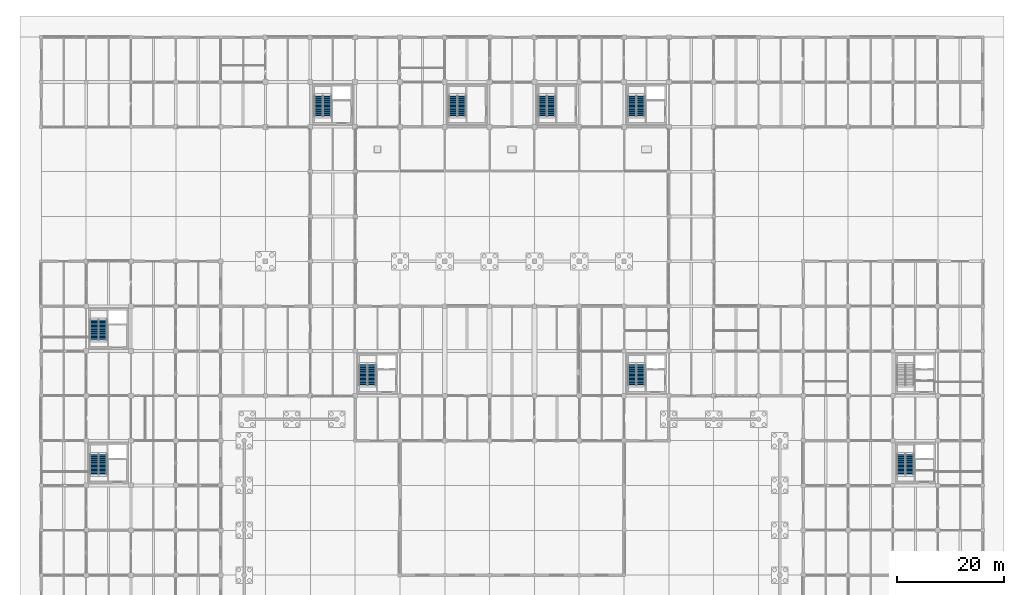
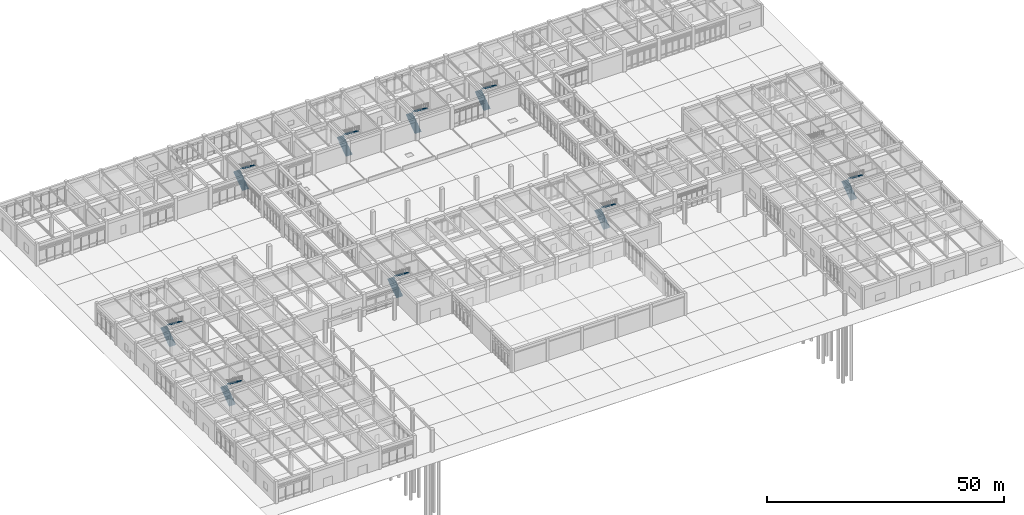
# One storey, part 83 of 91: 18 stair flights, 9 elements without a shape of their own.
"""IFC4 building model written with IfcOpenShell, lengths in metres."""

from ifc_helpers import new_model, si_unit, direction, frame, origin, place, context, subcontext, project, spatial, polyline, outline, extrude, material, layer, layer_set, type_object, element, aggregate, save


model = new_model("IFC4")

# Units and contexts
model_context = context("Model", 3, precision=1e-05, world=origin(), true_north=direction((0.0, 1.0)))
body_context = subcontext(model_context, "Body", "Model", "MODEL_VIEW")
ifc_project = project(units=[si_unit("LENGTHUNIT", "METRE"), si_unit("AREAUNIT", "SQUARE_METRE"), si_unit("VOLUMEUNIT", "CUBIC_METRE"), si_unit("PLANEANGLEUNIT", "RADIAN"), si_unit("MASSUNIT", "GRAM", prefix="KILO")], contexts=[model_context])

# Site, building, storey
site_placement = place(None, origin())
site = spatial("IfcSite", under=ifc_project, at=site_placement, CompositionType="ELEMENT")
building_placement = place(site_placement, origin())
building = spatial("IfcBuilding", under=site, at=building_placement, Name="Porcellanite Civic Hall", CompositionType="ELEMENT")
storey_placement = place(building_placement, origin())
storey = spatial("IfcBuildingStorey", under=building, at=storey_placement, Name="L00", CompositionType="ELEMENT", Elevation=0.0)

# Stair, stair flights
ifc_material_1 = material(Name="Concrete N40 (40 MPa)", Category="concrete")
stair_type = type_object("IfcStairType", Name="STR-HT32", PredefinedType="HALF_TURN_STAIR", material=ifc_material_1)
stair_1_placement = place(storey_placement, origin())
stair_1 = element("IfcStair", 1, at=stair_1_placement, inside=storey, type_object=stair_type, Name="Fire stair ST-01 L00", PredefinedType="HALF_TURN_STAIR")
ifc_material_2 = material(Name="Concrete N40 (40 MPa)", Category="concrete")
ifc_layer = layer(ifc_material_2, 0.179931640625)
ifc_layer_set = layer_set([ifc_layer], Name="Concrete N40 (40 MPa)")
stair_flight_type = type_object("IfcStairFlightType", Name="FLT-154A", PredefinedType="STRAIGHT", material=ifc_layer_set)
stair_flight_1_placement = place(storey_placement, frame((9.9599609375, 35.60009765625, 0.0), z_axis=(0.0, 0.0, 1.0), x_axis=(0.0, 1.0, 0.0)))
stair_flight_1 = element("IfcStairFlight", 2, at=stair_flight_1_placement, type_object=stair_flight_type, Name="ST-01 flight 1", NumberOfRisers=16, NumberOfTreads=15, PredefinedType="STRAIGHT", RiserHeight=0.18, TreadLength=0.255, context=body_context, shape_type="SweptSolid", body=[
    extrude(outline(polyline([(0.0, 0.0), (0.0, 0.179931640625), (0.2548828125, 0.179931640625), (0.2548828125, 0.360107421875), (0.510009765625, 0.360107421875), (0.510009765625, 0.5400390625), (0.764892578125, 0.5400390625), (0.764892578125, 0.719970703125), (1.02001953125, 0.719970703125), (1.02001953125, 0.89990234375), (1.27490234375, 0.89990234375), (1.27490234375, 1.080078125), (1.530029296875, 1.080078125), (1.530029296875, 1.260009765625), (1.784912109375, 1.260009765625), (1.784912109375, 1.43994140625), (2.0400390625, 1.43994140625), (2.0400390625, 1.6201171875), (2.294921875, 1.6201171875), (2.294921875, 1.800048828125), (2.550048828125, 1.800048828125), (2.550048828125, 1.97998046875), (2.804931640625, 1.97998046875), (2.804931640625, 2.159912109375), (3.06005859375, 2.159912109375), (3.06005859375, 2.340087890625), (3.31494140625, 2.340087890625), (3.31494140625, 2.52001953125), (3.570068359375, 2.52001953125), (3.570068359375, 2.699951171875), (3.824951171875, 2.699951171875), (3.824951171875, 2.8798828125), (3.824951171875, 2.479736328125), (0.31201171875, 0.0), (0.0, 0.0)])), frame((0.0, 0.77001953125, 0.0), z_axis=(0.0, -1.0, 0.0), x_axis=(1.0, 0.0, 0.0)), (0.0, 0.0, 1.0), 1.5400390625),
])
stair_flight_2_placement = place(storey_placement, frame((11.5400390625, 39.425048828125, 2.8798828125), z_axis=(0.0, 0.0, 1.0), x_axis=(0.0, -1.0, 0.0)))
stair_flight_2 = element("IfcStairFlight", 3, at=stair_flight_2_placement, type_object=stair_flight_type, Name="ST-01 flight 2", NumberOfRisers=16, NumberOfTreads=15, PredefinedType="STRAIGHT", RiserHeight=0.18, TreadLength=0.255, context=body_context, shape_type="SweptSolid", body=[
    extrude(outline(polyline([(0.0, 0.0), (0.0, 0.179931640625), (0.2548828125, 0.179931640625), (0.2548828125, 0.360107421875), (0.510009765625, 0.360107421875), (0.510009765625, 0.5400390625), (0.764892578125, 0.5400390625), (0.764892578125, 0.719970703125), (1.02001953125, 0.719970703125), (1.02001953125, 0.89990234375), (1.27490234375, 0.89990234375), (1.27490234375, 1.080078125), (1.530029296875, 1.080078125), (1.530029296875, 1.260009765625), (1.784912109375, 1.260009765625), (1.784912109375, 1.43994140625), (2.0400390625, 1.43994140625), (2.0400390625, 1.6201171875), (2.294921875, 1.6201171875), (2.294921875, 1.800048828125), (2.550048828125, 1.800048828125), (2.550048828125, 1.97998046875), (2.804931640625, 1.97998046875), (2.804931640625, 2.159912109375), (3.06005859375, 2.159912109375), (3.06005859375, 2.340087890625), (3.31494140625, 2.340087890625), (3.31494140625, 2.52001953125), (3.570068359375, 2.52001953125), (3.570068359375, 2.699951171875), (3.824951171875, 2.699951171875), (3.824951171875, 2.8798828125), (3.824951171875, 2.479736328125), (0.31201171875, 0.0), (0.0, 0.0)])), frame((0.0, 0.77001953125, 0.0), z_axis=(0.0, -1.0, 0.0), x_axis=(1.0, 0.0, 0.0)), (0.0, 0.0, 1.0), 1.5400390625),
])
aggregate(stair_1, [stair_flight_1, stair_flight_2])

stair_2_placement = place(storey_placement, origin())
stair_2 = element("IfcStair", 4, at=stair_2_placement, inside=storey, type_object=stair_type, Name="Fire stair ST-02 L00", PredefinedType="HALF_TURN_STAIR")
stair_flight_3_placement = place(storey_placement, frame((9.9599609375, 60.800048828125, 0.0), z_axis=(0.0, 0.0, 1.0), x_axis=(0.0, 1.0, 0.0)))
stair_flight_3 = element("IfcStairFlight", 5, at=stair_flight_3_placement, type_object=stair_flight_type, Name="ST-02 flight 1", NumberOfRisers=16, NumberOfTreads=15, PredefinedType="STRAIGHT", RiserHeight=0.18, TreadLength=0.255, context=body_context, shape_type="SweptSolid", body=[
    extrude(outline(polyline([(0.0, 0.0), (0.0, 0.179931640625), (0.2548828125, 0.179931640625), (0.2548828125, 0.360107421875), (0.510009765625, 0.360107421875), (0.510009765625, 0.5400390625), (0.764892578125, 0.5400390625), (0.764892578125, 0.719970703125), (1.02001953125, 0.719970703125), (1.02001953125, 0.89990234375), (1.27490234375, 0.89990234375), (1.27490234375, 1.080078125), (1.530029296875, 1.080078125), (1.530029296875, 1.260009765625), (1.784912109375, 1.260009765625), (1.784912109375, 1.43994140625), (2.0400390625, 1.43994140625), (2.0400390625, 1.6201171875), (2.294921875, 1.6201171875), (2.294921875, 1.800048828125), (2.550048828125, 1.800048828125), (2.550048828125, 1.97998046875), (2.804931640625, 1.97998046875), (2.804931640625, 2.159912109375), (3.06005859375, 2.159912109375), (3.06005859375, 2.340087890625), (3.31494140625, 2.340087890625), (3.31494140625, 2.52001953125), (3.570068359375, 2.52001953125), (3.570068359375, 2.699951171875), (3.824951171875, 2.699951171875), (3.824951171875, 2.8798828125), (3.824951171875, 2.479736328125), (0.31201171875, 0.0), (0.0, 0.0)])), frame((0.0, 0.77001953125, 0.0), z_axis=(0.0, -1.0, 0.0), x_axis=(1.0, 0.0, 0.0)), (0.0, 0.0, 1.0), 1.5400390625),
])
stair_flight_4_placement = place(storey_placement, frame((11.5400390625, 64.625, 2.8798828125), z_axis=(0.0, 0.0, 1.0), x_axis=(0.0, -1.0, 0.0)))
stair_flight_4 = element("IfcStairFlight", 6, at=stair_flight_4_placement, type_object=stair_flight_type, Name="ST-02 flight 2", NumberOfRisers=16, NumberOfTreads=15, PredefinedType="STRAIGHT", RiserHeight=0.18, TreadLength=0.255, context=body_context, shape_type="SweptSolid", body=[
    extrude(outline(polyline([(0.0, 0.0), (0.0, 0.179931640625), (0.2548828125, 0.179931640625), (0.2548828125, 0.360107421875), (0.510009765625, 0.360107421875), (0.510009765625, 0.5400390625), (0.764892578125, 0.5400390625), (0.764892578125, 0.719970703125), (1.02001953125, 0.719970703125), (1.02001953125, 0.89990234375), (1.27490234375, 0.89990234375), (1.27490234375, 1.080078125), (1.530029296875, 1.080078125), (1.530029296875, 1.260009765625), (1.784912109375, 1.260009765625), (1.784912109375, 1.43994140625), (2.0400390625, 1.43994140625), (2.0400390625, 1.6201171875), (2.294921875, 1.6201171875), (2.294921875, 1.800048828125), (2.550048828125, 1.800048828125), (2.550048828125, 1.97998046875), (2.804931640625, 1.97998046875), (2.804931640625, 2.159912109375), (3.06005859375, 2.159912109375), (3.06005859375, 2.340087890625), (3.31494140625, 2.340087890625), (3.31494140625, 2.52001953125), (3.570068359375, 2.52001953125), (3.570068359375, 2.699951171875), (3.824951171875, 2.699951171875), (3.824951171875, 2.8798828125), (3.824951171875, 2.479736328125), (0.31201171875, 0.0), (0.0, 0.0)])), frame((0.0, 0.77001953125, 0.0), z_axis=(0.0, -1.0, 0.0), x_axis=(1.0, 0.0, 0.0)), (0.0, 0.0, 1.0), 1.5400390625),
])
aggregate(stair_2, [stair_flight_3, stair_flight_4])

stair_3_placement = place(storey_placement, origin())
stair_3 = element("IfcStair", 7, at=stair_3_placement, inside=storey, type_object=stair_type, Name="Fire stair ST-03 L00", PredefinedType="HALF_TURN_STAIR")
stair_flight_5_placement = place(storey_placement, frame((51.9599609375, 102.800048828125, 0.0), z_axis=(0.0, 0.0, 1.0), x_axis=(0.0, 1.0, 0.0)))
stair_flight_5 = element("IfcStairFlight", 8, at=stair_flight_5_placement, type_object=stair_flight_type, Name="ST-03 flight 1", NumberOfRisers=16, NumberOfTreads=15, PredefinedType="STRAIGHT", RiserHeight=0.18, TreadLength=0.255, context=body_context, shape_type="SweptSolid", body=[
    extrude(outline(polyline([(0.0, 0.0), (0.0, 0.179931640625), (0.2548828125, 0.179931640625), (0.2548828125, 0.360107421875), (0.510009765625, 0.360107421875), (0.510009765625, 0.5400390625), (0.764892578125, 0.5400390625), (0.764892578125, 0.719970703125), (1.02001953125, 0.719970703125), (1.02001953125, 0.89990234375), (1.27490234375, 0.89990234375), (1.27490234375, 1.080078125), (1.530029296875, 1.080078125), (1.530029296875, 1.260009765625), (1.784912109375, 1.260009765625), (1.784912109375, 1.43994140625), (2.0400390625, 1.43994140625), (2.0400390625, 1.6201171875), (2.294921875, 1.6201171875), (2.294921875, 1.800048828125), (2.550048828125, 1.800048828125), (2.550048828125, 1.97998046875), (2.804931640625, 1.97998046875), (2.804931640625, 2.159912109375), (3.06005859375, 2.159912109375), (3.06005859375, 2.340087890625), (3.31494140625, 2.340087890625), (3.31494140625, 2.52001953125), (3.570068359375, 2.52001953125), (3.570068359375, 2.699951171875), (3.824951171875, 2.699951171875), (3.824951171875, 2.8798828125), (3.824951171875, 2.479736328125), (0.31201171875, 0.0), (0.0, 0.0)])), frame((0.0, 0.77001953125, 0.0), z_axis=(0.0, -1.0, 0.0), x_axis=(1.0, 0.0, 0.0)), (0.0, 0.0, 1.0), 1.5400390625),
])
stair_flight_6_placement = place(storey_placement, frame((53.5400390625, 106.625, 2.8798828125), z_axis=(0.0, 0.0, 1.0), x_axis=(0.0, -1.0, 0.0)))
stair_flight_6 = element("IfcStairFlight", 9, at=stair_flight_6_placement, type_object=stair_flight_type, Name="ST-03 flight 2", NumberOfRisers=16, NumberOfTreads=15, PredefinedType="STRAIGHT", RiserHeight=0.18, TreadLength=0.255, context=body_context, shape_type="SweptSolid", body=[
    extrude(outline(polyline([(0.0, 0.0), (0.0, 0.179931640625), (0.2548828125, 0.179931640625), (0.2548828125, 0.360107421875), (0.510009765625, 0.360107421875), (0.510009765625, 0.5400390625), (0.764892578125, 0.5400390625), (0.764892578125, 0.719970703125), (1.02001953125, 0.719970703125), (1.02001953125, 0.89990234375), (1.27490234375, 0.89990234375), (1.27490234375, 1.080078125), (1.530029296875, 1.080078125), (1.530029296875, 1.260009765625), (1.784912109375, 1.260009765625), (1.784912109375, 1.43994140625), (2.0400390625, 1.43994140625), (2.0400390625, 1.6201171875), (2.294921875, 1.6201171875), (2.294921875, 1.800048828125), (2.550048828125, 1.800048828125), (2.550048828125, 1.97998046875), (2.804931640625, 1.97998046875), (2.804931640625, 2.159912109375), (3.06005859375, 2.159912109375), (3.06005859375, 2.340087890625), (3.31494140625, 2.340087890625), (3.31494140625, 2.52001953125), (3.570068359375, 2.52001953125), (3.570068359375, 2.699951171875), (3.824951171875, 2.699951171875), (3.824951171875, 2.8798828125), (3.824951171875, 2.479736328125), (0.31201171875, 0.0), (0.0, 0.0)])), frame((0.0, 0.77001953125, 0.0), z_axis=(0.0, -1.0, 0.0), x_axis=(1.0, 0.0, 0.0)), (0.0, 0.0, 1.0), 1.5400390625),
])
aggregate(stair_3, [stair_flight_5, stair_flight_6])

stair_4_placement = place(storey_placement, origin())
stair_4 = element("IfcStair", 10, at=stair_4_placement, inside=storey, type_object=stair_type, Name="Fire stair ST-04 L00", PredefinedType="HALF_TURN_STAIR")
stair_flight_7_placement = place(storey_placement, frame((110.760009765625, 102.800048828125, 0.0), z_axis=(0.0, 0.0, 1.0), x_axis=(0.0, 1.0, 0.0)))
stair_flight_7 = element("IfcStairFlight", 11, at=stair_flight_7_placement, type_object=stair_flight_type, Name="ST-04 flight 1", NumberOfRisers=16, NumberOfTreads=15, PredefinedType="STRAIGHT", RiserHeight=0.18, TreadLength=0.255, context=body_context, shape_type="SweptSolid", body=[
    extrude(outline(polyline([(0.0, 0.0), (0.0, 0.179931640625), (0.2548828125, 0.179931640625), (0.2548828125, 0.360107421875), (0.510009765625, 0.360107421875), (0.510009765625, 0.5400390625), (0.764892578125, 0.5400390625), (0.764892578125, 0.719970703125), (1.02001953125, 0.719970703125), (1.02001953125, 0.89990234375), (1.27490234375, 0.89990234375), (1.27490234375, 1.080078125), (1.530029296875, 1.080078125), (1.530029296875, 1.260009765625), (1.784912109375, 1.260009765625), (1.784912109375, 1.43994140625), (2.0400390625, 1.43994140625), (2.0400390625, 1.6201171875), (2.294921875, 1.6201171875), (2.294921875, 1.800048828125), (2.550048828125, 1.800048828125), (2.550048828125, 1.97998046875), (2.804931640625, 1.97998046875), (2.804931640625, 2.159912109375), (3.06005859375, 2.159912109375), (3.06005859375, 2.340087890625), (3.31494140625, 2.340087890625), (3.31494140625, 2.52001953125), (3.570068359375, 2.52001953125), (3.570068359375, 2.699951171875), (3.824951171875, 2.699951171875), (3.824951171875, 2.8798828125), (3.824951171875, 2.479736328125), (0.31201171875, 0.0), (0.0, 0.0)])), frame((0.0, 0.77001953125, 0.0), z_axis=(0.0, -1.0, 0.0), x_axis=(1.0, 0.0, 0.0)), (0.0, 0.0, 1.0), 1.5400390625),
])
stair_flight_8_placement = place(storey_placement, frame((112.340087890625, 106.625, 2.8798828125), z_axis=(0.0, 0.0, 1.0), x_axis=(0.0, -1.0, 0.0)))
stair_flight_8 = element("IfcStairFlight", 12, at=stair_flight_8_placement, type_object=stair_flight_type, Name="ST-04 flight 2", NumberOfRisers=16, NumberOfTreads=15, PredefinedType="STRAIGHT", RiserHeight=0.18, TreadLength=0.255, context=body_context, shape_type="SweptSolid", body=[
    extrude(outline(polyline([(0.0, 0.0), (0.0, 0.179931640625), (0.2548828125, 0.179931640625), (0.2548828125, 0.360107421875), (0.510009765625, 0.360107421875), (0.510009765625, 0.5400390625), (0.764892578125, 0.5400390625), (0.764892578125, 0.719970703125), (1.02001953125, 0.719970703125), (1.02001953125, 0.89990234375), (1.27490234375, 0.89990234375), (1.27490234375, 1.080078125), (1.530029296875, 1.080078125), (1.530029296875, 1.260009765625), (1.784912109375, 1.260009765625), (1.784912109375, 1.43994140625), (2.0400390625, 1.43994140625), (2.0400390625, 1.6201171875), (2.294921875, 1.6201171875), (2.294921875, 1.800048828125), (2.550048828125, 1.800048828125), (2.550048828125, 1.97998046875), (2.804931640625, 1.97998046875), (2.804931640625, 2.159912109375), (3.06005859375, 2.159912109375), (3.06005859375, 2.340087890625), (3.31494140625, 2.340087890625), (3.31494140625, 2.52001953125), (3.570068359375, 2.52001953125), (3.570068359375, 2.699951171875), (3.824951171875, 2.699951171875), (3.824951171875, 2.8798828125), (3.824951171875, 2.479736328125), (0.31201171875, 0.0), (0.0, 0.0)])), frame((0.0, 0.77001953125, 0.0), z_axis=(0.0, -1.0, 0.0), x_axis=(1.0, 0.0, 0.0)), (0.0, 0.0, 1.0), 1.5400390625),
])
aggregate(stair_4, [stair_flight_7, stair_flight_8])

stair_5_placement = place(storey_placement, origin())
stair_5 = element("IfcStair", 13, at=stair_5_placement, inside=storey, type_object=stair_type, Name="Fire stair ST-05 L00", PredefinedType="HALF_TURN_STAIR")
stair_flight_9_placement = place(storey_placement, frame((60.360107421875, 52.39990234375, 0.0), z_axis=(0.0, 0.0, 1.0), x_axis=(0.0, 1.0, 0.0)))
stair_flight_9 = element("IfcStairFlight", 14, at=stair_flight_9_placement, type_object=stair_flight_type, Name="ST-05 flight 1", NumberOfRisers=16, NumberOfTreads=15, PredefinedType="STRAIGHT", RiserHeight=0.18, TreadLength=0.255, context=body_context, shape_type="SweptSolid", body=[
    extrude(outline(polyline([(0.0, 0.0), (0.0, 0.179931640625), (0.2548828125, 0.179931640625), (0.2548828125, 0.360107421875), (0.510009765625, 0.360107421875), (0.510009765625, 0.5400390625), (0.764892578125, 0.5400390625), (0.764892578125, 0.719970703125), (1.02001953125, 0.719970703125), (1.02001953125, 0.89990234375), (1.27490234375, 0.89990234375), (1.27490234375, 1.080078125), (1.530029296875, 1.080078125), (1.530029296875, 1.260009765625), (1.784912109375, 1.260009765625), (1.784912109375, 1.43994140625), (2.0400390625, 1.43994140625), (2.0400390625, 1.6201171875), (2.294921875, 1.6201171875), (2.294921875, 1.800048828125), (2.550048828125, 1.800048828125), (2.550048828125, 1.97998046875), (2.804931640625, 1.97998046875), (2.804931640625, 2.159912109375), (3.06005859375, 2.159912109375), (3.06005859375, 2.340087890625), (3.31494140625, 2.340087890625), (3.31494140625, 2.52001953125), (3.570068359375, 2.52001953125), (3.570068359375, 2.699951171875), (3.824951171875, 2.699951171875), (3.824951171875, 2.8798828125), (3.824951171875, 2.479736328125), (0.31201171875, 0.0), (0.0, 0.0)])), frame((0.0, 0.77001953125, 0.0), z_axis=(0.0, -1.0, 0.0), x_axis=(1.0, 0.0, 0.0)), (0.0, 0.0, 1.0), 1.5400390625),
])
stair_flight_10_placement = place(storey_placement, frame((61.93994140625, 56.22509765625, 2.8798828125), z_axis=(0.0, 0.0, 1.0), x_axis=(0.0, -1.0, 0.0)))
stair_flight_10 = element("IfcStairFlight", 15, at=stair_flight_10_placement, type_object=stair_flight_type, Name="ST-05 flight 2", NumberOfRisers=16, NumberOfTreads=15, PredefinedType="STRAIGHT", RiserHeight=0.18, TreadLength=0.255, context=body_context, shape_type="SweptSolid", body=[
    extrude(outline(polyline([(0.0, 0.0), (0.0, 0.179931640625), (0.2548828125, 0.179931640625), (0.2548828125, 0.360107421875), (0.510009765625, 0.360107421875), (0.510009765625, 0.5400390625), (0.764892578125, 0.5400390625), (0.764892578125, 0.719970703125), (1.02001953125, 0.719970703125), (1.02001953125, 0.89990234375), (1.27490234375, 0.89990234375), (1.27490234375, 1.080078125), (1.530029296875, 1.080078125), (1.530029296875, 1.260009765625), (1.784912109375, 1.260009765625), (1.784912109375, 1.43994140625), (2.0400390625, 1.43994140625), (2.0400390625, 1.6201171875), (2.294921875, 1.6201171875), (2.294921875, 1.800048828125), (2.550048828125, 1.800048828125), (2.550048828125, 1.97998046875), (2.804931640625, 1.97998046875), (2.804931640625, 2.159912109375), (3.06005859375, 2.159912109375), (3.06005859375, 2.340087890625), (3.31494140625, 2.340087890625), (3.31494140625, 2.52001953125), (3.570068359375, 2.52001953125), (3.570068359375, 2.699951171875), (3.824951171875, 2.699951171875), (3.824951171875, 2.8798828125), (3.824951171875, 2.479736328125), (0.31201171875, 0.0), (0.0, 0.0)])), frame((0.0, 0.77001953125, 0.0), z_axis=(0.0, -1.0, 0.0), x_axis=(1.0, 0.0, 0.0)), (0.0, 0.0, 1.0), 1.5400390625),
])
aggregate(stair_5, [stair_flight_9, stair_flight_10])

stair_6_placement = place(storey_placement, origin())
stair_6 = element("IfcStair", 16, at=stair_6_placement, inside=storey, type_object=stair_type, Name="Fire stair ST-06 L00", PredefinedType="HALF_TURN_STAIR")
stair_flight_11_placement = place(storey_placement, frame((110.760009765625, 52.39990234375, 0.0), z_axis=(0.0, 0.0, 1.0), x_axis=(0.0, 1.0, 0.0)))
stair_flight_11 = element("IfcStairFlight", 17, at=stair_flight_11_placement, type_object=stair_flight_type, Name="ST-06 flight 1", NumberOfRisers=16, NumberOfTreads=15, PredefinedType="STRAIGHT", RiserHeight=0.18, TreadLength=0.255, context=body_context, shape_type="SweptSolid", body=[
    extrude(outline(polyline([(0.0, 0.0), (0.0, 0.179931640625), (0.2548828125, 0.179931640625), (0.2548828125, 0.360107421875), (0.510009765625, 0.360107421875), (0.510009765625, 0.5400390625), (0.764892578125, 0.5400390625), (0.764892578125, 0.719970703125), (1.02001953125, 0.719970703125), (1.02001953125, 0.89990234375), (1.27490234375, 0.89990234375), (1.27490234375, 1.080078125), (1.530029296875, 1.080078125), (1.530029296875, 1.260009765625), (1.784912109375, 1.260009765625), (1.784912109375, 1.43994140625), (2.0400390625, 1.43994140625), (2.0400390625, 1.6201171875), (2.294921875, 1.6201171875), (2.294921875, 1.800048828125), (2.550048828125, 1.800048828125), (2.550048828125, 1.97998046875), (2.804931640625, 1.97998046875), (2.804931640625, 2.159912109375), (3.06005859375, 2.159912109375), (3.06005859375, 2.340087890625), (3.31494140625, 2.340087890625), (3.31494140625, 2.52001953125), (3.570068359375, 2.52001953125), (3.570068359375, 2.699951171875), (3.824951171875, 2.699951171875), (3.824951171875, 2.8798828125), (3.824951171875, 2.479736328125), (0.31201171875, 0.0), (0.0, 0.0)])), frame((0.0, 0.77001953125, 0.0), z_axis=(0.0, -1.0, 0.0), x_axis=(1.0, 0.0, 0.0)), (0.0, 0.0, 1.0), 1.5400390625),
])
stair_flight_12_placement = place(storey_placement, frame((112.340087890625, 56.22509765625, 2.8798828125), z_axis=(0.0, 0.0, 1.0), x_axis=(0.0, -1.0, 0.0)))
stair_flight_12 = element("IfcStairFlight", 18, at=stair_flight_12_placement, type_object=stair_flight_type, Name="ST-06 flight 2", NumberOfRisers=16, NumberOfTreads=15, PredefinedType="STRAIGHT", RiserHeight=0.18, TreadLength=0.255, context=body_context, shape_type="SweptSolid", body=[
    extrude(outline(polyline([(0.0, 0.0), (0.0, 0.179931640625), (0.2548828125, 0.179931640625), (0.2548828125, 0.360107421875), (0.510009765625, 0.360107421875), (0.510009765625, 0.5400390625), (0.764892578125, 0.5400390625), (0.764892578125, 0.719970703125), (1.02001953125, 0.719970703125), (1.02001953125, 0.89990234375), (1.27490234375, 0.89990234375), (1.27490234375, 1.080078125), (1.530029296875, 1.080078125), (1.530029296875, 1.260009765625), (1.784912109375, 1.260009765625), (1.784912109375, 1.43994140625), (2.0400390625, 1.43994140625), (2.0400390625, 1.6201171875), (2.294921875, 1.6201171875), (2.294921875, 1.800048828125), (2.550048828125, 1.800048828125), (2.550048828125, 1.97998046875), (2.804931640625, 1.97998046875), (2.804931640625, 2.159912109375), (3.06005859375, 2.159912109375), (3.06005859375, 2.340087890625), (3.31494140625, 2.340087890625), (3.31494140625, 2.52001953125), (3.570068359375, 2.52001953125), (3.570068359375, 2.699951171875), (3.824951171875, 2.699951171875), (3.824951171875, 2.8798828125), (3.824951171875, 2.479736328125), (0.31201171875, 0.0), (0.0, 0.0)])), frame((0.0, 0.77001953125, 0.0), z_axis=(0.0, -1.0, 0.0), x_axis=(1.0, 0.0, 0.0)), (0.0, 0.0, 1.0), 1.5400390625),
])
aggregate(stair_6, [stair_flight_11, stair_flight_12])

stair_7_placement = place(storey_placement, origin())
stair_7 = element("IfcStair", 19, at=stair_7_placement, inside=storey, type_object=stair_type, Name="Fire stair ST-07 L00", PredefinedType="HALF_TURN_STAIR")
stair_flight_13_placement = place(storey_placement, frame((161.159912109375, 35.60009765625, 0.0), z_axis=(0.0, 0.0, 1.0), x_axis=(0.0, 1.0, 0.0)))
stair_flight_13 = element("IfcStairFlight", 20, at=stair_flight_13_placement, type_object=stair_flight_type, Name="ST-07 flight 1", NumberOfRisers=16, NumberOfTreads=15, PredefinedType="STRAIGHT", RiserHeight=0.18, TreadLength=0.255, context=body_context, shape_type="SweptSolid", body=[
    extrude(outline(polyline([(0.0, 0.0), (0.0, 0.179931640625), (0.2548828125, 0.179931640625), (0.2548828125, 0.360107421875), (0.510009765625, 0.360107421875), (0.510009765625, 0.5400390625), (0.764892578125, 0.5400390625), (0.764892578125, 0.719970703125), (1.02001953125, 0.719970703125), (1.02001953125, 0.89990234375), (1.27490234375, 0.89990234375), (1.27490234375, 1.080078125), (1.530029296875, 1.080078125), (1.530029296875, 1.260009765625), (1.784912109375, 1.260009765625), (1.784912109375, 1.43994140625), (2.0400390625, 1.43994140625), (2.0400390625, 1.6201171875), (2.294921875, 1.6201171875), (2.294921875, 1.800048828125), (2.550048828125, 1.800048828125), (2.550048828125, 1.97998046875), (2.804931640625, 1.97998046875), (2.804931640625, 2.159912109375), (3.06005859375, 2.159912109375), (3.06005859375, 2.340087890625), (3.31494140625, 2.340087890625), (3.31494140625, 2.52001953125), (3.570068359375, 2.52001953125), (3.570068359375, 2.699951171875), (3.824951171875, 2.699951171875), (3.824951171875, 2.8798828125), (3.824951171875, 2.479736328125), (0.31201171875, 0.0), (0.0, 0.0)])), frame((0.0, 0.77001953125, 0.0), z_axis=(0.0, -1.0, 0.0), x_axis=(1.0, 0.0, 0.0)), (0.0, 0.0, 1.0), 1.5400390625),
])
stair_flight_14_placement = place(storey_placement, frame((162.739990234375, 39.425048828125, 2.8798828125), z_axis=(0.0, 0.0, 1.0), x_axis=(0.0, -1.0, 0.0)))
stair_flight_14 = element("IfcStairFlight", 21, at=stair_flight_14_placement, type_object=stair_flight_type, Name="ST-07 flight 2", NumberOfRisers=16, NumberOfTreads=15, PredefinedType="STRAIGHT", RiserHeight=0.18, TreadLength=0.255, context=body_context, shape_type="SweptSolid", body=[
    extrude(outline(polyline([(0.0, 0.0), (0.0, 0.179931640625), (0.2548828125, 0.179931640625), (0.2548828125, 0.360107421875), (0.510009765625, 0.360107421875), (0.510009765625, 0.5400390625), (0.764892578125, 0.5400390625), (0.764892578125, 0.719970703125), (1.02001953125, 0.719970703125), (1.02001953125, 0.89990234375), (1.27490234375, 0.89990234375), (1.27490234375, 1.080078125), (1.530029296875, 1.080078125), (1.530029296875, 1.260009765625), (1.784912109375, 1.260009765625), (1.784912109375, 1.43994140625), (2.0400390625, 1.43994140625), (2.0400390625, 1.6201171875), (2.294921875, 1.6201171875), (2.294921875, 1.800048828125), (2.550048828125, 1.800048828125), (2.550048828125, 1.97998046875), (2.804931640625, 1.97998046875), (2.804931640625, 2.159912109375), (3.06005859375, 2.159912109375), (3.06005859375, 2.340087890625), (3.31494140625, 2.340087890625), (3.31494140625, 2.52001953125), (3.570068359375, 2.52001953125), (3.570068359375, 2.699951171875), (3.824951171875, 2.699951171875), (3.824951171875, 2.8798828125), (3.824951171875, 2.479736328125), (0.31201171875, 0.0), (0.0, 0.0)])), frame((0.0, 0.77001953125, 0.0), z_axis=(0.0, -1.0, 0.0), x_axis=(1.0, 0.0, 0.0)), (0.0, 0.0, 1.0), 1.5400390625),
])
aggregate(stair_7, [stair_flight_13, stair_flight_14])

stair_8_placement = place(storey_placement, origin())
stair_8 = element("IfcStair", 22, at=stair_8_placement, inside=storey, type_object=stair_type, Name="Fire stair ST-09 L00", PredefinedType="HALF_TURN_STAIR")
stair_flight_15_placement = place(storey_placement, frame((77.159912109375, 102.800048828125, 0.0), z_axis=(0.0, 0.0, 1.0), x_axis=(0.0, 1.0, 0.0)))
stair_flight_15 = element("IfcStairFlight", 23, at=stair_flight_15_placement, type_object=stair_flight_type, Name="ST-09 flight 1", NumberOfRisers=16, NumberOfTreads=15, PredefinedType="STRAIGHT", RiserHeight=0.18, TreadLength=0.255, context=body_context, shape_type="SweptSolid", body=[
    extrude(outline(polyline([(0.0, 0.0), (0.0, 0.179931640625), (0.2548828125, 0.179931640625), (0.2548828125, 0.360107421875), (0.510009765625, 0.360107421875), (0.510009765625, 0.5400390625), (0.764892578125, 0.5400390625), (0.764892578125, 0.719970703125), (1.02001953125, 0.719970703125), (1.02001953125, 0.89990234375), (1.27490234375, 0.89990234375), (1.27490234375, 1.080078125), (1.530029296875, 1.080078125), (1.530029296875, 1.260009765625), (1.784912109375, 1.260009765625), (1.784912109375, 1.43994140625), (2.0400390625, 1.43994140625), (2.0400390625, 1.6201171875), (2.294921875, 1.6201171875), (2.294921875, 1.800048828125), (2.550048828125, 1.800048828125), (2.550048828125, 1.97998046875), (2.804931640625, 1.97998046875), (2.804931640625, 2.159912109375), (3.06005859375, 2.159912109375), (3.06005859375, 2.340087890625), (3.31494140625, 2.340087890625), (3.31494140625, 2.52001953125), (3.570068359375, 2.52001953125), (3.570068359375, 2.699951171875), (3.824951171875, 2.699951171875), (3.824951171875, 2.8798828125), (3.824951171875, 2.479736328125), (0.31201171875, 0.0), (0.0, 0.0)])), frame((0.0, 0.77001953125, 0.0), z_axis=(0.0, -1.0, 0.0), x_axis=(1.0, 0.0, 0.0)), (0.0, 0.0, 1.0), 1.5400390625),
])
stair_flight_16_placement = place(storey_placement, frame((78.739990234375, 106.625, 2.8798828125), z_axis=(0.0, 0.0, 1.0), x_axis=(0.0, -1.0, 0.0)))
stair_flight_16 = element("IfcStairFlight", 24, at=stair_flight_16_placement, type_object=stair_flight_type, Name="ST-09 flight 2", NumberOfRisers=16, NumberOfTreads=15, PredefinedType="STRAIGHT", RiserHeight=0.18, TreadLength=0.255, context=body_context, shape_type="SweptSolid", body=[
    extrude(outline(polyline([(0.0, 0.0), (0.0, 0.179931640625), (0.2548828125, 0.179931640625), (0.2548828125, 0.360107421875), (0.510009765625, 0.360107421875), (0.510009765625, 0.5400390625), (0.764892578125, 0.5400390625), (0.764892578125, 0.719970703125), (1.02001953125, 0.719970703125), (1.02001953125, 0.89990234375), (1.27490234375, 0.89990234375), (1.27490234375, 1.080078125), (1.530029296875, 1.080078125), (1.530029296875, 1.260009765625), (1.784912109375, 1.260009765625), (1.784912109375, 1.43994140625), (2.0400390625, 1.43994140625), (2.0400390625, 1.6201171875), (2.294921875, 1.6201171875), (2.294921875, 1.800048828125), (2.550048828125, 1.800048828125), (2.550048828125, 1.97998046875), (2.804931640625, 1.97998046875), (2.804931640625, 2.159912109375), (3.06005859375, 2.159912109375), (3.06005859375, 2.340087890625), (3.31494140625, 2.340087890625), (3.31494140625, 2.52001953125), (3.570068359375, 2.52001953125), (3.570068359375, 2.699951171875), (3.824951171875, 2.699951171875), (3.824951171875, 2.8798828125), (3.824951171875, 2.479736328125), (0.31201171875, 0.0), (0.0, 0.0)])), frame((0.0, 0.77001953125, 0.0), z_axis=(0.0, -1.0, 0.0), x_axis=(1.0, 0.0, 0.0)), (0.0, 0.0, 1.0), 1.5400390625),
])
aggregate(stair_8, [stair_flight_15, stair_flight_16])

stair_9_placement = place(storey_placement, origin())
stair_9 = element("IfcStair", 25, at=stair_9_placement, inside=storey, type_object=stair_type, Name="Fire stair ST-10 L00", PredefinedType="HALF_TURN_STAIR")
stair_flight_17_placement = place(storey_placement, frame((93.9599609375, 102.800048828125, 0.0), z_axis=(0.0, 0.0, 1.0), x_axis=(0.0, 1.0, 0.0)))
stair_flight_17 = element("IfcStairFlight", 26, at=stair_flight_17_placement, type_object=stair_flight_type, Name="ST-10 flight 1", NumberOfRisers=16, NumberOfTreads=15, PredefinedType="STRAIGHT", RiserHeight=0.18, TreadLength=0.255, context=body_context, shape_type="SweptSolid", body=[
    extrude(outline(polyline([(0.0, 0.0), (0.0, 0.179931640625), (0.2548828125, 0.179931640625), (0.2548828125, 0.360107421875), (0.510009765625, 0.360107421875), (0.510009765625, 0.5400390625), (0.764892578125, 0.5400390625), (0.764892578125, 0.719970703125), (1.02001953125, 0.719970703125), (1.02001953125, 0.89990234375), (1.27490234375, 0.89990234375), (1.27490234375, 1.080078125), (1.530029296875, 1.080078125), (1.530029296875, 1.260009765625), (1.784912109375, 1.260009765625), (1.784912109375, 1.43994140625), (2.0400390625, 1.43994140625), (2.0400390625, 1.6201171875), (2.294921875, 1.6201171875), (2.294921875, 1.800048828125), (2.550048828125, 1.800048828125), (2.550048828125, 1.97998046875), (2.804931640625, 1.97998046875), (2.804931640625, 2.159912109375), (3.06005859375, 2.159912109375), (3.06005859375, 2.340087890625), (3.31494140625, 2.340087890625), (3.31494140625, 2.52001953125), (3.570068359375, 2.52001953125), (3.570068359375, 2.699951171875), (3.824951171875, 2.699951171875), (3.824951171875, 2.8798828125), (3.824951171875, 2.479736328125), (0.31201171875, 0.0), (0.0, 0.0)])), frame((0.0, 0.77001953125, 0.0), z_axis=(0.0, -1.0, 0.0), x_axis=(1.0, 0.0, 0.0)), (0.0, 0.0, 1.0), 1.5400390625),
])
stair_flight_18_placement = place(storey_placement, frame((95.5400390625, 106.625, 2.8798828125), z_axis=(0.0, 0.0, 1.0), x_axis=(0.0, -1.0, 0.0)))
stair_flight_18 = element("IfcStairFlight", 27, at=stair_flight_18_placement, type_object=stair_flight_type, Name="ST-10 flight 2", NumberOfRisers=16, NumberOfTreads=15, PredefinedType="STRAIGHT", RiserHeight=0.18, TreadLength=0.255, context=body_context, shape_type="SweptSolid", body=[
    extrude(outline(polyline([(0.0, 0.0), (0.0, 0.179931640625), (0.2548828125, 0.179931640625), (0.2548828125, 0.360107421875), (0.510009765625, 0.360107421875), (0.510009765625, 0.5400390625), (0.764892578125, 0.5400390625), (0.764892578125, 0.719970703125), (1.02001953125, 0.719970703125), (1.02001953125, 0.89990234375), (1.27490234375, 0.89990234375), (1.27490234375, 1.080078125), (1.530029296875, 1.080078125), (1.530029296875, 1.260009765625), (1.784912109375, 1.260009765625), (1.784912109375, 1.43994140625), (2.0400390625, 1.43994140625), (2.0400390625, 1.6201171875), (2.294921875, 1.6201171875), (2.294921875, 1.800048828125), (2.550048828125, 1.800048828125), (2.550048828125, 1.97998046875), (2.804931640625, 1.97998046875), (2.804931640625, 2.159912109375), (3.06005859375, 2.159912109375), (3.06005859375, 2.340087890625), (3.31494140625, 2.340087890625), (3.31494140625, 2.52001953125), (3.570068359375, 2.52001953125), (3.570068359375, 2.699951171875), (3.824951171875, 2.699951171875), (3.824951171875, 2.8798828125), (3.824951171875, 2.479736328125), (0.31201171875, 0.0), (0.0, 0.0)])), frame((0.0, 0.77001953125, 0.0), z_axis=(0.0, -1.0, 0.0), x_axis=(1.0, 0.0, 0.0)), (0.0, 0.0, 1.0), 1.5400390625),
])
aggregate(stair_9, [stair_flight_17, stair_flight_18])

save(model, "model.ifc")
